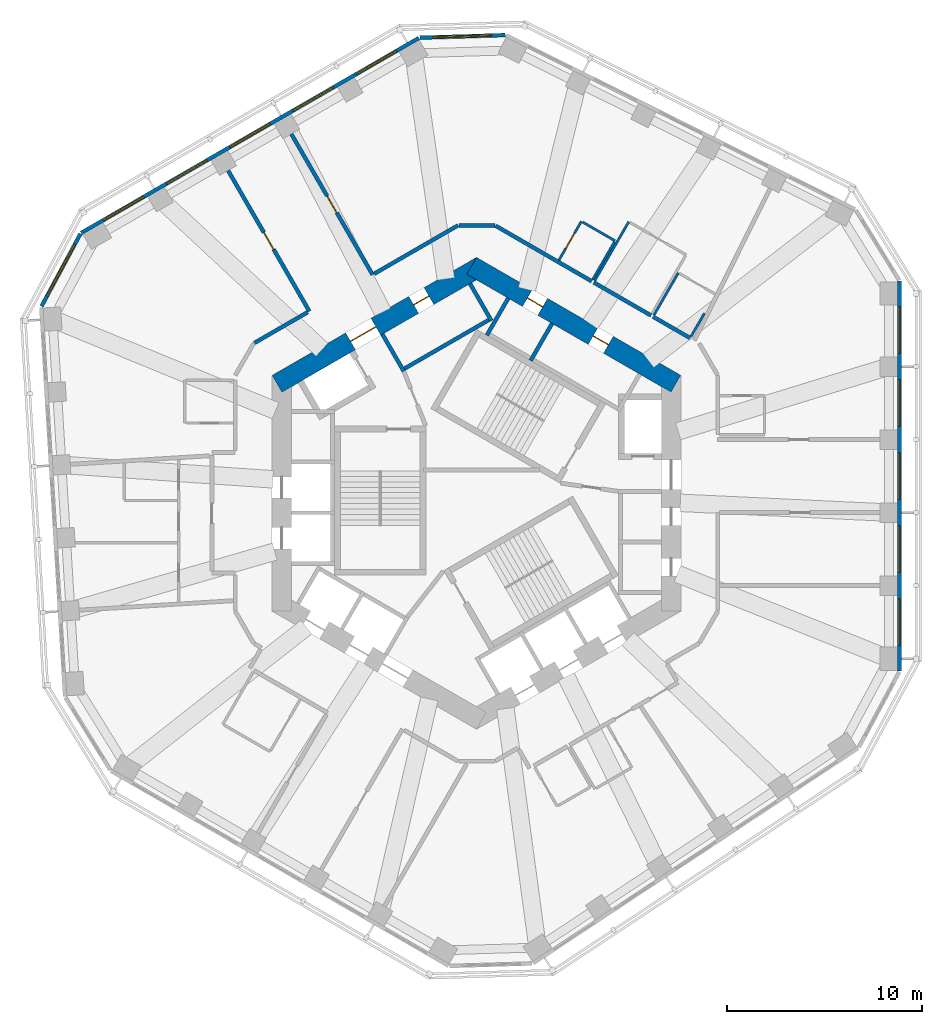
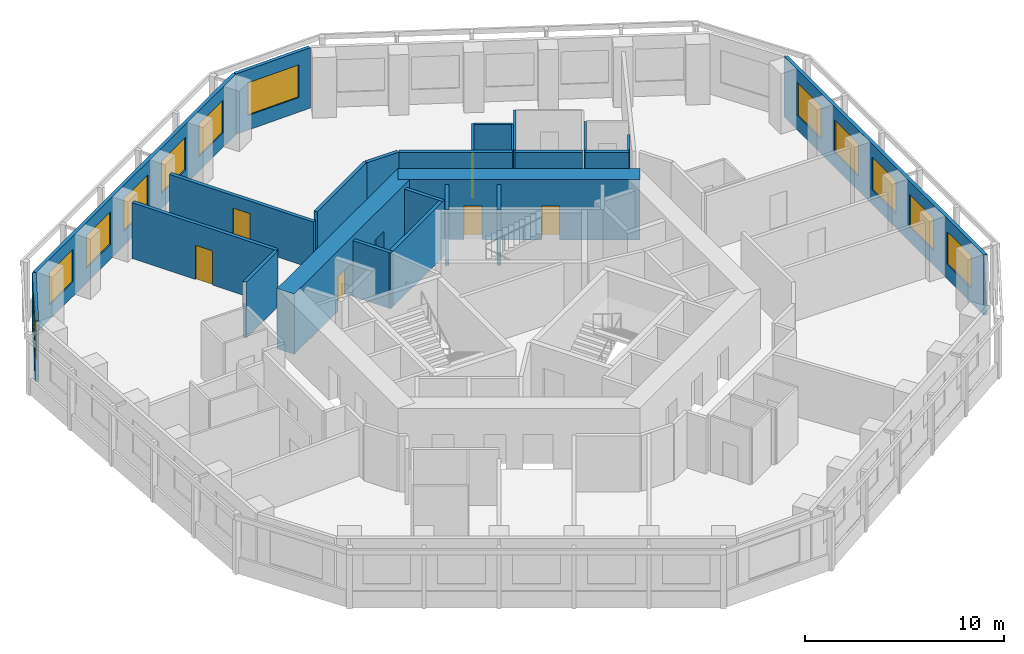
# One storey, part 7 of 11: 25 walls, 12 windows, 7 doors, 19 openings.
"""IFC4 building model written with IfcOpenShell, lengths in metres."""

from ifc_helpers import new_model, si_unit, direction, frame, frame_2d, origin, place, context, subcontext, project, spatial, rectangle, extrude, material, layer, layer_set, type_object, element, fill, save


model = new_model("IFC4")

# Units and contexts
model_context = context("Model", 3, precision=1e-05, world=origin(), true_north=direction((0.0, 1.0)))
body_context = subcontext(model_context, "Body", "Model", "MODEL_VIEW")
ifc_project = project(units=[si_unit("LENGTHUNIT", "METRE"), si_unit("AREAUNIT", "SQUARE_METRE"), si_unit("VOLUMEUNIT", "CUBIC_METRE"), si_unit("PLANEANGLEUNIT", "RADIAN"), si_unit("MASSUNIT", "GRAM", prefix="KILO")], contexts=[model_context])

# Site, building, storey
site_placement = place(None, origin())
site = spatial("IfcSite", under=ifc_project, at=site_placement, CompositionType="ELEMENT")
building_placement = place(site_placement, origin())
building = spatial("IfcBuilding", under=site, at=building_placement, Name="Vanh Sen Convention Tower", CompositionType="ELEMENT")
storey_placement = place(building_placement, frame((0.0, 0.0, 168.800048828125)))
storey = spatial("IfcBuildingStorey", under=building, at=storey_placement, Name="L41", CompositionType="ELEMENT", Elevation=168.800048828125)

# Wall, opening, door
ifc_material_1 = material(Name="Moisture-resistant gypsum board on steel studs", Category="steel")
ifc_layer_1 = layer(ifc_material_1, 0.1201171875)
ifc_layer_set_1 = layer_set([ifc_layer_1], Name="Moisture-resistant gypsum board on steel studs")
wall_type_1 = type_object("IfcWallType", Name="Bathroom partition 120", PredefinedType="PARTITIONING", material=ifc_layer_set_1)
wall_1_placement = place(storey_placement, frame((4.240234375, 11.985595703125, 0.0), z_axis=(0.0, 0.0, 1.0), x_axis=(0.499952165731, 0.866053019151, 0.0)))
wall_1 = element("IfcWall", 1, at=wall_1_placement, inside=storey, type_object=wall_type_1, Name="Bathroom partition 120", PredefinedType="PARTITIONING", context=body_context, shape_type="SweptSolid", body=[
    extrude(rectangle(XDim=2.300048828125, YDim=0.1201171875, at=frame_2d((1.14990234375, 0.0))), origin(), (0.0, 0.0, 1.0), 3.419921875),
])
opening_1_placement = place(wall_1_placement, frame((0.699951171875, 0.0, 0.0)))
opening_1 = element("IfcOpeningElement", 2, at=opening_1_placement, cuts=wall_1, Name="Opening D41106", PredefinedType="OPENING", context=body_context, shape_type="SweptSolid", body=[
    extrude(rectangle(XDim=0.89990234375, YDim=2.10009765625, at=frame_2d((0.449951171875, 1.050048828125))), frame((0.0, 0.070068359375, 0.0), z_axis=(0.0, -1.0, 0.0), x_axis=(1.0, 0.0, 0.0)), (0.0, 0.0, 1.0), 0.14013671875),
])
ifc_material_2 = material(Name="Laminate door in steel frame", Category="steel")
door_type_1 = type_object("IfcDoorType", Name="Room internal door 900", OperationType="SINGLE_SWING_LEFT", PredefinedType="DOOR", material=ifc_material_2)
door_1_placement = place(opening_1_placement, origin())
door_1 = element("IfcDoor", 3, at=door_1_placement, inside=storey, type_object=door_type_1, Name="Internal room door D41106", OperationType="SINGLE_SWING_LEFT", OverallHeight=2.10009765625, OverallWidth=0.89990234375, PredefinedType="DOOR", context=body_context, shape_type="SweptSolid", body=[
    extrude(rectangle(XDim=0.89990234375, YDim=2.10009765625, at=frame_2d((0.449951171875, 1.050048828125))), frame((0.0, 0.02490234375, 0.0), z_axis=(0.0, -1.0, 0.0), x_axis=(1.0, 0.0, 0.0)), (0.0, 0.0, 1.0), 0.050048828125),
])
fill(opening_1, door_1)

# Walls
wall_2_placement = place(storey_placement, frame((5.442138671875, 13.947509765625, 0.0), z_axis=(0.0, 0.0, 1.0), x_axis=(0.866043088465, -0.499969367985, 0.0)))
element("IfcWall", 4, at=wall_2_placement, inside=storey, type_object=wall_type_1, Name="Bathroom partition 120", PredefinedType="PARTITIONING", context=body_context, shape_type="SweptSolid", body=[
    extrude(rectangle(XDim=1.93994140625, YDim=0.1201171875, at=frame_2d((0.969970703125, 0.0))), origin(), (0.0, 0.0, 1.0), 3.419921875),
])
wall_3_placement = place(storey_placement, frame((6.076171875, 10.92578125, 0.0), z_axis=(0.0, 0.0, 1.0), x_axis=(0.500010275428, 0.866019471182, 0.0)))
element("IfcWall", 5, at=wall_3_placement, inside=storey, type_object=wall_type_1, Name="Bathroom partition 120", PredefinedType="PARTITIONING", context=body_context, shape_type="SweptSolid", body=[
    extrude(rectangle(XDim=3.5, YDim=0.1201171875, at=frame_2d((1.75, 0.0))), origin(), (0.0, 0.0, 1.0), 3.419921875),
])
wall_4_placement = place(storey_placement, frame((7.09228515625, 12.925537109375, 0.0), z_axis=(0.0, 0.0, 1.0), x_axis=(-0.500030632641, -0.866007717299, 0.0)))
element("IfcWall", 6, at=wall_4_placement, inside=storey, type_object=wall_type_1, Name="Bathroom partition 120", PredefinedType="PARTITIONING", context=body_context, shape_type="SweptSolid", body=[
    extrude(rectangle(XDim=2.239990234375, YDim=0.1201171875, at=frame_2d((1.1201171875, 0.0))), origin(), (0.0, 0.0, 1.0), 3.419921875),
])
wall_5_placement = place(storey_placement, frame((9.12451171875, 9.165771484375, 0.0), z_axis=(0.0, 0.0, 1.0), x_axis=(0.500004234368, 0.866022959057, 0.0)))
element("IfcWall", 7, at=wall_5_placement, inside=storey, type_object=wall_type_1, Name="Bathroom partition 120", PredefinedType="PARTITIONING", context=body_context, shape_type="SweptSolid", body=[
    extrude(rectangle(XDim=2.5, YDim=0.1201171875, at=frame_2d((1.25, 0.0))), origin(), (0.0, 0.0, 1.0), 3.419921875),
])
wall_6_placement = place(storey_placement, frame((11.7138671875, 9.25048828125, 0.0), z_axis=(0.0, 0.0, 1.0), x_axis=(-0.500015945769, -0.866016197294, 0.0)))
element("IfcWall", 8, at=wall_6_placement, inside=storey, type_object=wall_type_1, Name="Bathroom partition 120", PredefinedType="PARTITIONING", context=body_context, shape_type="SweptSolid", body=[
    extrude(rectangle(XDim=1.3681640625, YDim=0.1201171875, at=frame_2d((0.68408203125, 0.0))), origin(), (0.0, 0.0, 1.0), 3.419921875),
])

# Wall, openings, doors
ifc_material_3 = material(Name="Concrete C80/95", Category="concrete")
ifc_layer_2 = layer(ifc_material_3, 1.0)
ifc_layer_set_2 = layer_set([ifc_layer_2], Name="Concrete C80/95")
wall_type_2 = type_object("IfcWallType", Name="Core outer wall 1000 C80/95", PredefinedType="SHEAR", material=ifc_layer_set_2)
wall_7_placement = place(storey_placement, frame((10.25, 5.629150390625, 0.0), z_axis=(0.0, 0.0, 1.0), x_axis=(-0.866022616891, 0.50000482701, 0.0)))
wall_7 = element("IfcWall", 9, at=wall_7_placement, inside=storey, type_object=wall_type_2, Name="Core wall face NE L41", PredefinedType="SHEAR", context=body_context, shape_type="SweptSolid", body=[
    extrude(rectangle(XDim=12.12451171875, YDim=1.0, at=frame_2d((6.062255859375, 0.0))), origin(), (0.0, 0.0, 1.0), 3.699951171875),
])
opening_2_placement = place(wall_7_placement, frame((4.01220703125, 0.0, 0.0)))
opening_2 = element("IfcOpeningElement", 10, at=opening_2_placement, cuts=wall_7, Name="Opening D41011", PredefinedType="OPENING", context=body_context, shape_type="SweptSolid", body=[
    extrude(rectangle(XDim=0.89990234375, YDim=2.10009765625, at=frame_2d((0.449951171875, 1.050048828125))), frame((0.0, 0.510009765625, 0.0), z_axis=(0.0, -1.0, 0.0), x_axis=(1.0, 0.0, 0.0)), (0.0, 0.0, 1.0), 1.02001953125),
])
opening_3_placement = place(wall_7_placement, frame((7.912109375, 0.0, 0.0)))
opening_3 = element("IfcOpeningElement", 11, at=opening_3_placement, cuts=wall_7, Name="Opening D41012", PredefinedType="OPENING", context=body_context, shape_type="SweptSolid", body=[
    extrude(rectangle(XDim=0.89990234375, YDim=2.10009765625, at=frame_2d((0.449951171875, 1.050048828125))), frame((0.0, 0.510009765625, 0.0), z_axis=(0.0, -1.0, 0.0), x_axis=(1.0, 0.0, 0.0)), (0.0, 0.0, 1.0), 1.02001953125),
])
ifc_material_4 = material(Name="Steel S355", Category="steel")
door_type_2 = type_object("IfcDoorType", Name="Plant door 900", OperationType="SINGLE_SWING_LEFT", PredefinedType="DOOR", material=ifc_material_4)
door_2_placement = place(opening_2_placement, origin())
door_2 = element("IfcDoor", 12, at=door_2_placement, inside=storey, type_object=door_type_2, Name="Plant door D41011", OperationType="SINGLE_SWING_LEFT", OverallHeight=2.10009765625, OverallWidth=0.89990234375, PredefinedType="DOOR", context=body_context, shape_type="SweptSolid", body=[
    extrude(rectangle(XDim=0.89990234375, YDim=2.10009765625, at=frame_2d((0.449951171875, 1.050048828125))), frame((0.0, 0.02490234375, 0.0), z_axis=(0.0, -1.0, 0.0), x_axis=(1.0, 0.0, 0.0)), (0.0, 0.0, 1.0), 0.050048828125),
])
fill(opening_2, door_2)
door_3_placement = place(opening_3_placement, origin())
door_3 = element("IfcDoor", 13, at=door_3_placement, inside=storey, type_object=door_type_2, Name="Plant door D41012", OperationType="SINGLE_SWING_LEFT", OverallHeight=2.10009765625, OverallWidth=0.89990234375, PredefinedType="DOOR", context=body_context, shape_type="SweptSolid", body=[
    extrude(rectangle(XDim=0.89990234375, YDim=2.10009765625, at=frame_2d((0.449951171875, 1.050048828125))), frame((0.0, 0.02490234375, 0.0), z_axis=(0.0, -1.0, 0.0), x_axis=(1.0, 0.0, 0.0)), (0.0, 0.0, 1.0), 0.050048828125),
])
fill(opening_3, door_3)

wall_8_placement = place(storey_placement, frame((0.25, 11.69140625, 0.0), z_axis=(0.0, 0.0, 1.0), x_axis=(-0.866022616891, -0.50000482701, 0.0)))
wall_8 = element("IfcWall", 14, at=wall_8_placement, inside=storey, type_object=wall_type_2, Name="Core wall face NW L41", PredefinedType="SHEAR", context=body_context, shape_type="SweptSolid", body=[
    extrude(rectangle(XDim=12.12451171875, YDim=1.0, at=frame_2d((6.062255859375, 0.0))), origin(), (0.0, 0.0, 1.0), 3.699951171875),
])
opening_4_placement = place(wall_8_placement, frame((6.26220703125, 0.0, 0.0)))
opening_4 = element("IfcOpeningElement", 15, at=opening_4_placement, cuts=wall_8, Name="Opening D41002", PredefinedType="OPENING", context=body_context, shape_type="SweptSolid", body=[
    extrude(rectangle(XDim=1.5, YDim=2.10009765625, at=frame_2d((0.75, 1.050048828125))), frame((0.0, 0.510009765625, 0.0), z_axis=(0.0, -1.0, 0.0), x_axis=(1.0, 0.0, 0.0)), (0.0, 0.0, 1.0), 1.02001953125),
])
opening_5_placement = place(wall_8_placement, frame((3.1123046875, 0.0, 0.0)))
opening_5 = element("IfcOpeningElement", 16, at=opening_5_placement, cuts=wall_8, Name="Opening D41013", PredefinedType="OPENING", context=body_context, shape_type="SweptSolid", body=[
    extrude(rectangle(XDim=0.89990234375, YDim=2.10009765625, at=frame_2d((0.449951171875, 1.050048828125))), frame((0.0, 0.510009765625, 0.0), z_axis=(0.0, -1.0, 0.0), x_axis=(1.0, 0.0, 0.0)), (0.0, 0.0, 1.0), 1.02001953125),
])
door_4_placement = place(opening_5_placement, origin())
door_4 = element("IfcDoor", 17, at=door_4_placement, inside=storey, type_object=door_type_2, Name="Plant door D41013", OperationType="SINGLE_SWING_LEFT", OverallHeight=2.10009765625, OverallWidth=0.89990234375, PredefinedType="DOOR", context=body_context, shape_type="SweptSolid", body=[
    extrude(rectangle(XDim=0.89990234375, YDim=2.10009765625, at=frame_2d((0.449951171875, 1.050048828125))), frame((0.0, 0.02490234375, 0.0), z_axis=(0.0, -1.0, 0.0), x_axis=(1.0, 0.0, 0.0)), (0.0, 0.0, 1.0), 0.050048828125),
])
fill(opening_5, door_4)
door_type_3 = type_object("IfcDoorType", Name="Stair lobby door 1500", OperationType="DOUBLE_DOOR_SINGLE_SWING", PredefinedType="DOOR", material=ifc_material_4)
door_5_placement = place(opening_4_placement, origin())
door_5 = element("IfcDoor", 18, at=door_5_placement, inside=storey, type_object=door_type_3, Name="Stair lobby door D41002", OperationType="DOUBLE_DOOR_SINGLE_SWING", OverallHeight=2.10009765625, OverallWidth=1.5, PredefinedType="DOOR", context=body_context, shape_type="SweptSolid", body=[
    extrude(rectangle(XDim=1.5, YDim=2.10009765625, at=frame_2d((0.75, 1.050048828125))), frame((0.0, 0.02490234375, 0.0), z_axis=(0.0, -1.0, 0.0), x_axis=(1.0, 0.0, 0.0)), (0.0, 0.0, 1.0), 0.050048828125),
])
fill(opening_4, door_5)

# Wall, opening, door
ifc_material_5 = material(Name="Gypsum board on steel studs with mineral wool", Category="steel")
ifc_layer_3 = layer(ifc_material_5, 0.199951171875)
ifc_layer_set_3 = layer_set([ifc_layer_3], Name="Gypsum board on steel studs with mineral wool")
wall_type_3 = type_object("IfcWallType", Name="Corridor partition wall 200", PredefinedType="PARTITIONING", material=ifc_layer_set_3)
wall_9_placement = place(storey_placement, frame((-12.766357421875, 16.58935546875, 0.0), z_axis=(0.0, 0.0, 1.0), x_axis=(0.500010139422, -0.866019549707, 0.0)))
wall_9 = element("IfcWall", 19, at=wall_9_placement, inside=storey, type_object=wall_type_3, Name="Corridor partition wall 200", PredefinedType="PARTITIONING", context=body_context, shape_type="SweptSolid", body=[
    extrude(rectangle(XDim=8.349853515625, YDim=0.199951171875, at=frame_2d((4.1748046875, 0.0))), origin(), (0.0, 0.0, 1.0), 3.419921875),
])
opening_6_placement = place(wall_9_placement, frame((3.675048828125, 0.0, 0.0)))
opening_6 = element("IfcOpeningElement", 20, at=opening_6_placement, cuts=wall_9, Name="Opening D41107", PredefinedType="OPENING", context=body_context, shape_type="SweptSolid", body=[
    extrude(rectangle(XDim=1.0, YDim=2.10009765625, at=frame_2d((0.5, 1.050048828125))), frame((0.0, 0.10986328125, 0.0), z_axis=(0.0, -1.0, 0.0), x_axis=(1.0, 0.0, 0.0)), (0.0, 0.0, 1.0), 0.219970703125),
])
ifc_material_6 = material(Name="Glazed fire door in steel frame", Category="steel")
door_type_4 = type_object("IfcDoorType", Name="Tenant entrance door 1000", OperationType="SINGLE_SWING_LEFT", PredefinedType="DOOR", material=ifc_material_6)
door_6_placement = place(opening_6_placement, origin())
door_6 = element("IfcDoor", 21, at=door_6_placement, inside=storey, type_object=door_type_4, Name="Tenant suite entrance door D41107", OperationType="SINGLE_SWING_LEFT", OverallHeight=2.10009765625, OverallWidth=1.0, PredefinedType="DOOR", context=body_context, shape_type="SweptSolid", body=[
    extrude(rectangle(XDim=1.0, YDim=2.10009765625, at=frame_2d((0.5, 1.050048828125))), frame((0.0, 0.02490234375, 0.0), z_axis=(0.0, -1.0, 0.0), x_axis=(1.0, 0.0, 0.0)), (0.0, 0.0, 1.0), 0.050048828125),
])
fill(opening_6, door_6)

wall_10_placement = place(storey_placement, frame((-9.51513671875, 18.46630859375, 0.0), z_axis=(0.0, 0.0, 1.0), x_axis=(0.500010139422, -0.866019549707, 0.0)))
wall_10 = element("IfcWall", 22, at=wall_10_placement, inside=storey, type_object=wall_type_3, Name="Corridor partition wall 200", PredefinedType="PARTITIONING", context=body_context, shape_type="SweptSolid", body=[
    extrude(rectangle(XDim=8.349853515625, YDim=0.199951171875, at=frame_2d((4.1748046875, 0.0))), origin(), (0.0, 0.0, 1.0), 2.869873046875),
])
opening_7_placement = place(wall_10_placement, frame((3.675048828125, 0.0, 0.0)))
opening_7 = element("IfcOpeningElement", 23, at=opening_7_placement, cuts=wall_10, Name="Opening D41103", PredefinedType="OPENING", context=body_context, shape_type="SweptSolid", body=[
    extrude(rectangle(XDim=1.0, YDim=2.10009765625, at=frame_2d((0.5, 1.050048828125))), frame((0.0, 0.10986328125, 0.0), z_axis=(0.0, -1.0, 0.0), x_axis=(1.0, 0.0, 0.0)), (0.0, 0.0, 1.0), 0.219970703125),
])
door_7_placement = place(opening_7_placement, origin())
door_7 = element("IfcDoor", 24, at=door_7_placement, inside=storey, type_object=door_type_4, Name="Tenant suite entrance door D41103", OperationType="SINGLE_SWING_LEFT", OverallHeight=2.10009765625, OverallWidth=1.0, PredefinedType="DOOR", context=body_context, shape_type="SweptSolid", body=[
    extrude(rectangle(XDim=1.0, YDim=2.10009765625, at=frame_2d((0.5, 1.050048828125))), frame((0.0, 0.02490234375, 0.0), z_axis=(0.0, -1.0, 0.0), x_axis=(1.0, 0.0, 0.0)), (0.0, 0.0, 1.0), 0.050048828125),
])
fill(opening_7, door_7)

# Walls
wall_11_placement = place(storey_placement, frame((-8.677978515625, 9.30810546875, 0.0), z_axis=(0.0, 0.0, 1.0), x_axis=(-0.866000359435, -0.500043375578, 0.0)))
element("IfcWall", 25, at=wall_11_placement, inside=storey, type_object=wall_type_3, Name="Corridor partition wall 200", PredefinedType="PARTITIONING", context=body_context, shape_type="SweptSolid", body=[
    extrude(rectangle(XDim=3.160888671875, YDim=0.199951171875, at=frame_2d((1.58056640625, 0.0))), origin(), (0.0, 0.0, 1.0), 3.419921875),
])
wall_12_placement = place(storey_placement, frame((-0.949951171875, 13.769775390625, 0.0), z_axis=(0.0, 0.0, 1.0), x_axis=(-0.866036689987, -0.499980451214, 0.0)))
element("IfcWall", 26, at=wall_12_placement, inside=storey, type_object=wall_type_3, Name="Corridor partition wall 200", PredefinedType="PARTITIONING", context=body_context, shape_type="SweptSolid", body=[
    extrude(rectangle(XDim=4.969482421875, YDim=0.199951171875, at=frame_2d((2.48486328125, 0.0))), origin(), (0.0, 0.0, 1.0), 3.419921875),
])
wall_13_placement = place(storey_placement, frame((0.949951171875, 13.769775390625, 0.0), z_axis=(0.0, 0.0, 1.0), x_axis=(-1.0, 0.0, 0.0)))
element("IfcWall", 27, at=wall_13_placement, inside=storey, type_object=wall_type_3, Name="Corridor partition wall 200", PredefinedType="PARTITIONING", context=body_context, shape_type="SweptSolid", body=[
    extrude(rectangle(XDim=1.85986328125, YDim=0.199951171875, at=frame_2d((0.929931640625, 0.0))), origin(), (0.0, 0.0, 1.0), 3.419921875),
])
wall_14_placement = place(storey_placement, frame((5.922119140625, 10.899169921875, 0.0), z_axis=(0.0, 0.0, 1.0), x_axis=(-0.866031556924, 0.499989342298, 0.0)))
element("IfcWall", 28, at=wall_14_placement, inside=storey, type_object=wall_type_3, Name="Corridor partition wall 200", PredefinedType="PARTITIONING", context=body_context, shape_type="SweptSolid", body=[
    extrude(rectangle(XDim=5.701171875, YDim=0.199951171875, at=frame_2d((2.8505859375, 0.0))), origin(), (0.0, 0.0, 1.0), 3.419921875),
])
wall_15_placement = place(storey_placement, frame((8.970703125, 9.13916015625, 0.0), z_axis=(0.0, 0.0, 1.0), x_axis=(-0.866038511948, 0.499977295307, 0.0)))
element("IfcWall", 29, at=wall_15_placement, inside=storey, type_object=wall_type_3, Name="Corridor partition wall 200", PredefinedType="PARTITIONING", context=body_context, shape_type="SweptSolid", body=[
    extrude(rectangle(XDim=3.400146484375, YDim=0.199951171875, at=frame_2d((1.7001953125, 0.0))), origin(), (0.0, 0.0, 1.0), 3.419921875),
])
wall_16_placement = place(storey_placement, frame((10.979736328125, 7.97900390625, 0.0), z_axis=(0.0, 0.0, 1.0), x_axis=(-0.866008176907, 0.50002983664, 0.0)))
element("IfcWall", 30, at=wall_16_placement, inside=storey, type_object=wall_type_3, Name="Corridor partition wall 200", PredefinedType="PARTITIONING", context=body_context, shape_type="SweptSolid", body=[
    extrude(rectangle(XDim=2.199951171875, YDim=0.199951171875, at=frame_2d((1.10009765625, 0.0))), origin(), (0.0, 0.0, 1.0), 3.419921875),
])

# Wall, openings, windows
ifc_material_7 = material(Name="Insulated lightweight infill wall")
ifc_layer_4 = layer(ifc_material_7, 0.199951171875)
ifc_layer_set_4 = layer_set([ifc_layer_4], Name="Insulated lightweight infill wall")
wall_type_4 = type_object("IfcWallType", Name="External wall 200", PredefinedType="STANDARD", material=ifc_layer_set_4)
wall_17_placement = place(storey_placement, frame((21.75, -9.138427734375, 0.0), z_axis=(0.0, 0.0, 1.0), x_axis=(0.0, 1.0, 0.0)))
wall_17 = element("IfcWall", 31, at=wall_17_placement, inside=storey, type_object=wall_type_4, Name="External wall E L41", PredefinedType="STANDARD", context=body_context, shape_type="SweptSolid", body=[
    extrude(rectangle(XDim=20.043701171875, YDim=0.199951171875, at=frame_2d((10.02197265625, 0.0))), origin(), (0.0, 0.0, 1.0), 3.699951171875),
])
opening_8_placement = place(wall_17_placement, frame((1.314453125, 0.0, 0.89990234375)))
opening_8 = element("IfcOpeningElement", 32, at=opening_8_placement, cuts=wall_17, Name="Opening WO1-E1", PredefinedType="OPENING", context=body_context, shape_type="SweptSolid", body=[
    extrude(rectangle(XDim=2.39990234375, YDim=2.0, at=frame_2d((1.199951171875, 1.0))), frame((0.0, 0.10986328125, 0.0), z_axis=(0.0, -1.0, 0.0), x_axis=(1.0, 0.0, 0.0)), (0.0, 0.0, 1.0), 0.219970703125),
])
opening_9_placement = place(wall_17_placement, frame((5.068603515625, 0.0, 0.89990234375)))
opening_9 = element("IfcOpeningElement", 33, at=opening_9_placement, cuts=wall_17, Name="Opening WO1-E2", PredefinedType="OPENING", context=body_context, shape_type="SweptSolid", body=[
    extrude(rectangle(XDim=2.39990234375, YDim=2.0, at=frame_2d((1.199951171875, 1.0))), frame((0.0, 0.10986328125, 0.0), z_axis=(0.0, -1.0, 0.0), x_axis=(1.0, 0.0, 0.0)), (0.0, 0.0, 1.0), 0.219970703125),
])
opening_10_placement = place(wall_17_placement, frame((8.82275390625, 0.0, 0.89990234375)))
opening_10 = element("IfcOpeningElement", 34, at=opening_10_placement, cuts=wall_17, Name="Opening WO1-E3", PredefinedType="OPENING", context=body_context, shape_type="SweptSolid", body=[
    extrude(rectangle(XDim=2.39990234375, YDim=2.0, at=frame_2d((1.199951171875, 1.0))), frame((0.0, 0.10986328125, 0.0), z_axis=(0.0, -1.0, 0.0), x_axis=(1.0, 0.0, 0.0)), (0.0, 0.0, 1.0), 0.219970703125),
])
opening_11_placement = place(wall_17_placement, frame((12.576904296875, 0.0, 0.89990234375)))
opening_11 = element("IfcOpeningElement", 35, at=opening_11_placement, cuts=wall_17, Name="Opening WO1-E4", PredefinedType="OPENING", context=body_context, shape_type="SweptSolid", body=[
    extrude(rectangle(XDim=2.39990234375, YDim=2.0, at=frame_2d((1.199951171875, 1.0))), frame((0.0, 0.10986328125, 0.0), z_axis=(0.0, -1.0, 0.0), x_axis=(1.0, 0.0, 0.0)), (0.0, 0.0, 1.0), 0.219970703125),
])
opening_12_placement = place(wall_17_placement, frame((16.330810546875, 0.0, 0.89990234375)))
opening_12 = element("IfcOpeningElement", 36, at=opening_12_placement, cuts=wall_17, Name="Opening WO1-E5", PredefinedType="OPENING", context=body_context, shape_type="SweptSolid", body=[
    extrude(rectangle(XDim=2.39990234375, YDim=2.0, at=frame_2d((1.199951171875, 1.0))), frame((0.0, 0.10986328125, 0.0), z_axis=(0.0, -1.0, 0.0), x_axis=(1.0, 0.0, 0.0)), (0.0, 0.0, 1.0), 0.219970703125),
])
ifc_material_8 = material(Name="Aluminium frame with clear low-emissivity glass", Category="aluminium")
window_type_1 = type_object("IfcWindowType", Name="Office window 2400 x 2000", PartitioningType="SINGLE_PANEL", PredefinedType="WINDOW", material=ifc_material_8)
window_1_placement = place(opening_8_placement, origin())
window_1 = element("IfcWindow", 37, at=window_1_placement, inside=storey, type_object=window_type_1, Name="Window WO1-E1", OverallHeight=2.0, OverallWidth=2.39990234375, PartitioningType="SINGLE_PANEL", PredefinedType="WINDOW", context=body_context, shape_type="SweptSolid", body=[
    extrude(rectangle(XDim=2.39990234375, YDim=2.0, at=frame_2d((1.199951171875, 1.0))), frame((0.0, 0.030029296875, 0.0), z_axis=(0.0, -1.0, 0.0), x_axis=(1.0, 0.0, 0.0)), (0.0, 0.0, 1.0), 0.06005859375),
])
fill(opening_8, window_1)
window_2_placement = place(opening_9_placement, origin())
window_2 = element("IfcWindow", 38, at=window_2_placement, inside=storey, type_object=window_type_1, Name="Window WO1-E2", OverallHeight=2.0, OverallWidth=2.39990234375, PartitioningType="SINGLE_PANEL", PredefinedType="WINDOW", context=body_context, shape_type="SweptSolid", body=[
    extrude(rectangle(XDim=2.39990234375, YDim=2.0, at=frame_2d((1.199951171875, 1.0))), frame((0.0, 0.030029296875, 0.0), z_axis=(0.0, -1.0, 0.0), x_axis=(1.0, 0.0, 0.0)), (0.0, 0.0, 1.0), 0.06005859375),
])
fill(opening_9, window_2)
window_3_placement = place(opening_10_placement, origin())
window_3 = element("IfcWindow", 39, at=window_3_placement, inside=storey, type_object=window_type_1, Name="Window WO1-E3", OverallHeight=2.0, OverallWidth=2.39990234375, PartitioningType="SINGLE_PANEL", PredefinedType="WINDOW", context=body_context, shape_type="SweptSolid", body=[
    extrude(rectangle(XDim=2.39990234375, YDim=2.0, at=frame_2d((1.199951171875, 1.0))), frame((0.0, 0.030029296875, 0.0), z_axis=(0.0, -1.0, 0.0), x_axis=(1.0, 0.0, 0.0)), (0.0, 0.0, 1.0), 0.06005859375),
])
fill(opening_10, window_3)
window_4_placement = place(opening_11_placement, origin())
window_4 = element("IfcWindow", 40, at=window_4_placement, inside=storey, type_object=window_type_1, Name="Window WO1-E4", OverallHeight=2.0, OverallWidth=2.39990234375, PartitioningType="SINGLE_PANEL", PredefinedType="WINDOW", context=body_context, shape_type="SweptSolid", body=[
    extrude(rectangle(XDim=2.39990234375, YDim=2.0, at=frame_2d((1.199951171875, 1.0))), frame((0.0, 0.030029296875, 0.0), z_axis=(0.0, -1.0, 0.0), x_axis=(1.0, 0.0, 0.0)), (0.0, 0.0, 1.0), 0.06005859375),
])
fill(opening_11, window_4)
window_5_placement = place(opening_12_placement, origin())
window_5 = element("IfcWindow", 41, at=window_5_placement, inside=storey, type_object=window_type_1, Name="Window WO1-E5", OverallHeight=2.0, OverallWidth=2.39990234375, PartitioningType="SINGLE_PANEL", PredefinedType="WINDOW", context=body_context, shape_type="SweptSolid", body=[
    extrude(rectangle(XDim=2.39990234375, YDim=2.0, at=frame_2d((1.199951171875, 1.0))), frame((0.0, 0.030029296875, 0.0), z_axis=(0.0, -1.0, 0.0), x_axis=(1.0, 0.0, 0.0)), (0.0, 0.0, 1.0), 0.06005859375),
])
fill(opening_12, window_5)

# Wall, opening, window
wall_18_placement = place(storey_placement, frame((1.478759765625, 23.552734375, 0.0), z_axis=(0.0, 0.0, 1.0), x_axis=(-0.999534786117, -0.03049936625, 0.0)))
wall_18 = element("IfcWall", 42, at=wall_18_placement, inside=storey, type_object=wall_type_4, Name="External wall CH2 L41", PredefinedType="STANDARD", context=body_context, shape_type="SweptSolid", body=[
    extrude(rectangle(XDim=4.39453125, YDim=0.199951171875, at=frame_2d((2.197265625, 0.0))), origin(), (0.0, 0.0, 1.0), 3.699951171875),
])
opening_13_placement = place(wall_18_placement, frame((0.697509765625, 0.0, 0.89990234375)))
opening_13 = element("IfcOpeningElement", 43, at=opening_13_placement, cuts=wall_18, Name="Opening WO2-CH21", PredefinedType="OPENING", context=body_context, shape_type="SweptSolid", body=[
    extrude(rectangle(XDim=3.0, YDim=2.0, at=frame_2d((1.5, 1.0))), frame((0.0, 0.10986328125, 0.0), z_axis=(0.0, -1.0, 0.0), x_axis=(1.0, 0.0, 0.0)), (0.0, 0.0, 1.0), 0.219970703125),
])
window_type_2 = type_object("IfcWindowType", Name="Office window 3000 x 2000", PartitioningType="SINGLE_PANEL", PredefinedType="WINDOW", material=ifc_material_8)
window_6_placement = place(opening_13_placement, origin())
window_6 = element("IfcWindow", 44, at=window_6_placement, inside=storey, type_object=window_type_2, Name="Window WO2-CH21", OverallHeight=2.0, OverallWidth=3.0, PartitioningType="SINGLE_PANEL", PredefinedType="WINDOW", context=body_context, shape_type="SweptSolid", body=[
    extrude(rectangle(XDim=3.0, YDim=2.0, at=frame_2d((1.5, 1.0))), frame((0.0, 0.030029296875, 0.0), z_axis=(0.0, -1.0, 0.0), x_axis=(1.0, 0.0, 0.0)), (0.0, 0.0, 1.0), 0.06005859375),
])
fill(opening_13, window_6)

# Wall, openings, windows
wall_19_placement = place(storey_placement, frame((-2.9609375, 23.4052734375, 0.0), z_axis=(0.0, 0.0, 1.0), x_axis=(-0.866023315909, -0.500003616288, 0.0)))
wall_19 = element("IfcWall", 45, at=wall_19_placement, inside=storey, type_object=wall_type_4, Name="External wall NW L41", PredefinedType="STANDARD", context=body_context, shape_type="SweptSolid", body=[
    extrude(rectangle(XDim=20.043701171875, YDim=0.199951171875, at=frame_2d((10.02197265625, 0.0))), origin(), (0.0, 0.0, 1.0), 3.699951171875),
])
opening_14_placement = place(wall_19_placement, frame((1.314453125, 0.0, 0.89990234375)))
opening_14 = element("IfcOpeningElement", 46, at=opening_14_placement, cuts=wall_19, Name="Opening WO1-NW1", PredefinedType="OPENING", context=body_context, shape_type="SweptSolid", body=[
    extrude(rectangle(XDim=2.39990234375, YDim=2.0, at=frame_2d((1.199951171875, 1.0))), frame((0.0, 0.10986328125, 0.0), z_axis=(0.0, -1.0, 0.0), x_axis=(1.0, 0.0, 0.0)), (0.0, 0.0, 1.0), 0.219970703125),
])
opening_15_placement = place(wall_19_placement, frame((5.068603515625, 0.0, 0.89990234375)))
opening_15 = element("IfcOpeningElement", 47, at=opening_15_placement, cuts=wall_19, Name="Opening WO1-NW2", PredefinedType="OPENING", context=body_context, shape_type="SweptSolid", body=[
    extrude(rectangle(XDim=2.39990234375, YDim=2.0, at=frame_2d((1.199951171875, 1.0))), frame((0.0, 0.10986328125, 0.0), z_axis=(0.0, -1.0, 0.0), x_axis=(1.0, 0.0, 0.0)), (0.0, 0.0, 1.0), 0.219970703125),
])
opening_16_placement = place(wall_19_placement, frame((8.82275390625, 0.0, 0.89990234375)))
opening_16 = element("IfcOpeningElement", 48, at=opening_16_placement, cuts=wall_19, Name="Opening WO1-NW3", PredefinedType="OPENING", context=body_context, shape_type="SweptSolid", body=[
    extrude(rectangle(XDim=2.39990234375, YDim=2.0, at=frame_2d((1.199951171875, 1.0))), frame((0.0, 0.10986328125, 0.0), z_axis=(0.0, -1.0, 0.0), x_axis=(1.0, 0.0, 0.0)), (0.0, 0.0, 1.0), 0.219970703125),
])
opening_17_placement = place(wall_19_placement, frame((12.576904296875, 0.0, 0.89990234375)))
opening_17 = element("IfcOpeningElement", 49, at=opening_17_placement, cuts=wall_19, Name="Opening WO1-NW4", PredefinedType="OPENING", context=body_context, shape_type="SweptSolid", body=[
    extrude(rectangle(XDim=2.39990234375, YDim=2.0, at=frame_2d((1.199951171875, 1.0))), frame((0.0, 0.10986328125, 0.0), z_axis=(0.0, -1.0, 0.0), x_axis=(1.0, 0.0, 0.0)), (0.0, 0.0, 1.0), 0.219970703125),
])
opening_18_placement = place(wall_19_placement, frame((16.330810546875, 0.0, 0.89990234375)))
opening_18 = element("IfcOpeningElement", 50, at=opening_18_placement, cuts=wall_19, Name="Opening WO1-NW5", PredefinedType="OPENING", context=body_context, shape_type="SweptSolid", body=[
    extrude(rectangle(XDim=2.39990234375, YDim=2.0, at=frame_2d((1.199951171875, 1.0))), frame((0.0, 0.10986328125, 0.0), z_axis=(0.0, -1.0, 0.0), x_axis=(1.0, 0.0, 0.0)), (0.0, 0.0, 1.0), 0.219970703125),
])
window_7_placement = place(opening_14_placement, origin())
window_7 = element("IfcWindow", 51, at=window_7_placement, inside=storey, type_object=window_type_1, Name="Window WO1-NW1", OverallHeight=2.0, OverallWidth=2.39990234375, PartitioningType="SINGLE_PANEL", PredefinedType="WINDOW", context=body_context, shape_type="SweptSolid", body=[
    extrude(rectangle(XDim=2.39990234375, YDim=2.0, at=frame_2d((1.199951171875, 1.0))), frame((0.0, 0.030029296875, 0.0), z_axis=(0.0, -1.0, 0.0), x_axis=(1.0, 0.0, 0.0)), (0.0, 0.0, 1.0), 0.06005859375),
])
fill(opening_14, window_7)
window_8_placement = place(opening_15_placement, origin())
window_8 = element("IfcWindow", 52, at=window_8_placement, inside=storey, type_object=window_type_1, Name="Window WO1-NW2", OverallHeight=2.0, OverallWidth=2.39990234375, PartitioningType="SINGLE_PANEL", PredefinedType="WINDOW", context=body_context, shape_type="SweptSolid", body=[
    extrude(rectangle(XDim=2.39990234375, YDim=2.0, at=frame_2d((1.199951171875, 1.0))), frame((0.0, 0.030029296875, 0.0), z_axis=(0.0, -1.0, 0.0), x_axis=(1.0, 0.0, 0.0)), (0.0, 0.0, 1.0), 0.06005859375),
])
fill(opening_15, window_8)
window_9_placement = place(opening_16_placement, origin())
window_9 = element("IfcWindow", 53, at=window_9_placement, inside=storey, type_object=window_type_1, Name="Window WO1-NW3", OverallHeight=2.0, OverallWidth=2.39990234375, PartitioningType="SINGLE_PANEL", PredefinedType="WINDOW", context=body_context, shape_type="SweptSolid", body=[
    extrude(rectangle(XDim=2.39990234375, YDim=2.0, at=frame_2d((1.199951171875, 1.0))), frame((0.0, 0.030029296875, 0.0), z_axis=(0.0, -1.0, 0.0), x_axis=(1.0, 0.0, 0.0)), (0.0, 0.0, 1.0), 0.06005859375),
])
fill(opening_16, window_9)
window_10_placement = place(opening_17_placement, origin())
window_10 = element("IfcWindow", 54, at=window_10_placement, inside=storey, type_object=window_type_1, Name="Window WO1-NW4", OverallHeight=2.0, OverallWidth=2.39990234375, PartitioningType="SINGLE_PANEL", PredefinedType="WINDOW", context=body_context, shape_type="SweptSolid", body=[
    extrude(rectangle(XDim=2.39990234375, YDim=2.0, at=frame_2d((1.199951171875, 1.0))), frame((0.0, 0.030029296875, 0.0), z_axis=(0.0, -1.0, 0.0), x_axis=(1.0, 0.0, 0.0)), (0.0, 0.0, 1.0), 0.06005859375),
])
fill(opening_17, window_10)
window_11_placement = place(opening_18_placement, origin())
window_11 = element("IfcWindow", 55, at=window_11_placement, inside=storey, type_object=window_type_1, Name="Window WO1-NW5", OverallHeight=2.0, OverallWidth=2.39990234375, PartitioningType="SINGLE_PANEL", PredefinedType="WINDOW", context=body_context, shape_type="SweptSolid", body=[
    extrude(rectangle(XDim=2.39990234375, YDim=2.0, at=frame_2d((1.199951171875, 1.0))), frame((0.0, 0.030029296875, 0.0), z_axis=(0.0, -1.0, 0.0), x_axis=(1.0, 0.0, 0.0)), (0.0, 0.0, 1.0), 0.06005859375),
])
fill(opening_18, window_11)

# Wall, opening, window
wall_20_placement = place(storey_placement, frame((-20.357421875, 13.343994140625, 0.0), z_axis=(0.0, 0.0, 1.0), x_axis=(-0.473288913494, -0.880907262068, 0.0)))
wall_20 = element("IfcWall", 56, at=wall_20_placement, inside=storey, type_object=wall_type_4, Name="External wall CH3 L41", PredefinedType="STANDARD", context=body_context, shape_type="SweptSolid", body=[
    extrude(rectangle(XDim=4.238037109375, YDim=0.199951171875, at=frame_2d((2.119140625, 0.0))), origin(), (0.0, 0.0, 1.0), 3.699951171875),
])
opening_19_placement = place(wall_20_placement, frame((0.619140625, 0.0, 0.89990234375)))
opening_19 = element("IfcOpeningElement", 57, at=opening_19_placement, cuts=wall_20, Name="Opening WO2-CH31", PredefinedType="OPENING", context=body_context, shape_type="SweptSolid", body=[
    extrude(rectangle(XDim=3.0, YDim=2.0, at=frame_2d((1.5, 1.0))), frame((0.0, 0.10986328125, 0.0), z_axis=(0.0, -1.0, 0.0), x_axis=(1.0, 0.0, 0.0)), (0.0, 0.0, 1.0), 0.219970703125),
])
window_12_placement = place(opening_19_placement, origin())
window_12 = element("IfcWindow", 58, at=window_12_placement, inside=storey, type_object=window_type_2, Name="Window WO2-CH31", OverallHeight=2.0, OverallWidth=3.0, PartitioningType="SINGLE_PANEL", PredefinedType="WINDOW", context=body_context, shape_type="SweptSolid", body=[
    extrude(rectangle(XDim=3.0, YDim=2.0, at=frame_2d((1.5, 1.0))), frame((0.0, 0.030029296875, 0.0), z_axis=(0.0, -1.0, 0.0), x_axis=(1.0, 0.0, 0.0)), (0.0, 0.0, 1.0), 0.06005859375),
])
fill(opening_19, window_12)

# Walls
ifc_material_9 = material(Name="Concrete C40/50", Category="concrete")
ifc_layer_5 = layer(ifc_material_9, 0.199951171875)
ifc_layer_set_5 = layer_set([ifc_layer_5], Name="Concrete C40/50")
wall_type_5 = type_object("IfcWallType", Name="Lift shaft wall 200", PredefinedType="PARTITIONING", material=ifc_layer_set_5)
for number, where, z_axis, x_axis, name in (
    (59, (2.783935546875, 6.822021484375, 0.0), (0.0, 0.0, 1.0), (0.50002983664, 0.866008176907, 0.0), "Lift shaft wall L41"),
    (60, (0.5322265625, 8.1220703125, 0.0), (0.0, 0.0, 1.0), (0.500077893725, 0.86598042715, 0.0), "Lift shaft wall L41"),
):
    element("IfcWall", number, at=place(storey_placement, frame(where, z_axis=z_axis, x_axis=x_axis)), inside=storey, type_object=wall_type_5, Name=name, PredefinedType="PARTITIONING", context=body_context, shape_type="SweptSolid", body=[
        extrude(rectangle(XDim=2.199951171875, YDim=0.199951171875, at=frame_2d((1.10009765625, 0.0))), origin(), (0.0, 0.0, 1.0), 3.419921875),
    ])
wall_21_placement = place(storey_placement, frame((0.80322265625, 9.008544921875, 0.0), z_axis=(0.0, 0.0, 1.0), x_axis=(-0.866028230842, -0.499995103361, 0.0)))
element("IfcWall", 61, at=wall_21_placement, inside=storey, type_object=wall_type_5, Name="Lift shaft wall L41", PredefinedType="PARTITIONING", context=body_context, shape_type="SweptSolid", body=[
    extrude(rectangle(XDim=5.39990234375, YDim=0.199951171875, at=frame_2d((2.699951171875, 0.0))), origin(), (0.0, 0.0, 1.0), 3.419921875),
])
wall_22_placement = place(storey_placement, frame((0.7666015625, 8.8720703125, 0.0), z_axis=(0.0, 0.0, 1.0), x_axis=(-0.499994660107, 0.866028486751, 0.0)))
element("IfcWall", 62, at=wall_22_placement, inside=storey, type_object=wall_type_5, Name="Lift shaft wall L41", PredefinedType="PARTITIONING", context=body_context, shape_type="SweptSolid", body=[
    extrude(rectangle(XDim=2.19970703125, YDim=0.199951171875, at=frame_2d((1.099853515625, 0.0))), origin(), (0.0, 0.0, 1.0), 3.419921875),
])
wall_23_placement = place(storey_placement, frame((-3.736572265625, 6.27197265625, 0.0), z_axis=(0.0, 0.0, 1.0), x_axis=(-0.50002983664, 0.866008176907, 0.0)))
element("IfcWall", 63, at=wall_23_placement, inside=storey, type_object=wall_type_5, Name="Lift shaft wall L41", PredefinedType="PARTITIONING", context=body_context, shape_type="SweptSolid", body=[
    extrude(rectangle(XDim=2.199951171875, YDim=0.199951171875, at=frame_2d((1.10009765625, 0.0))), origin(), (0.0, 0.0, 1.0), 3.419921875),
])

save(model, "model.ifc")
